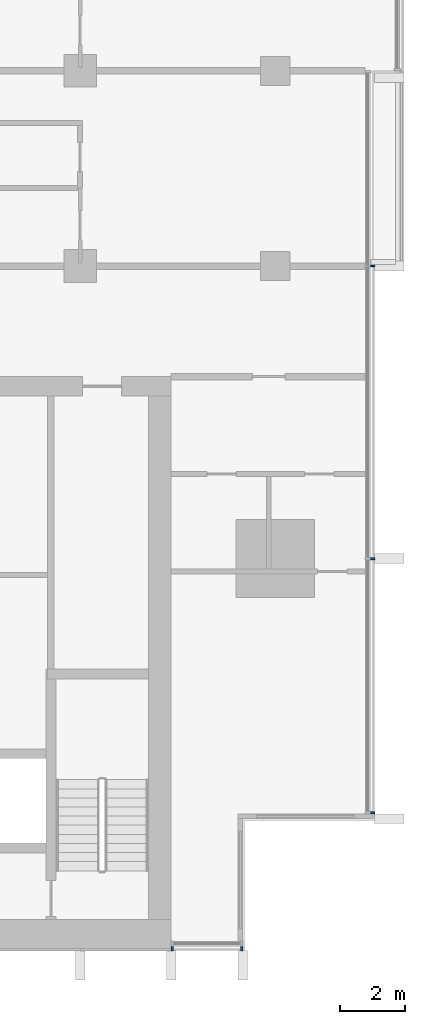
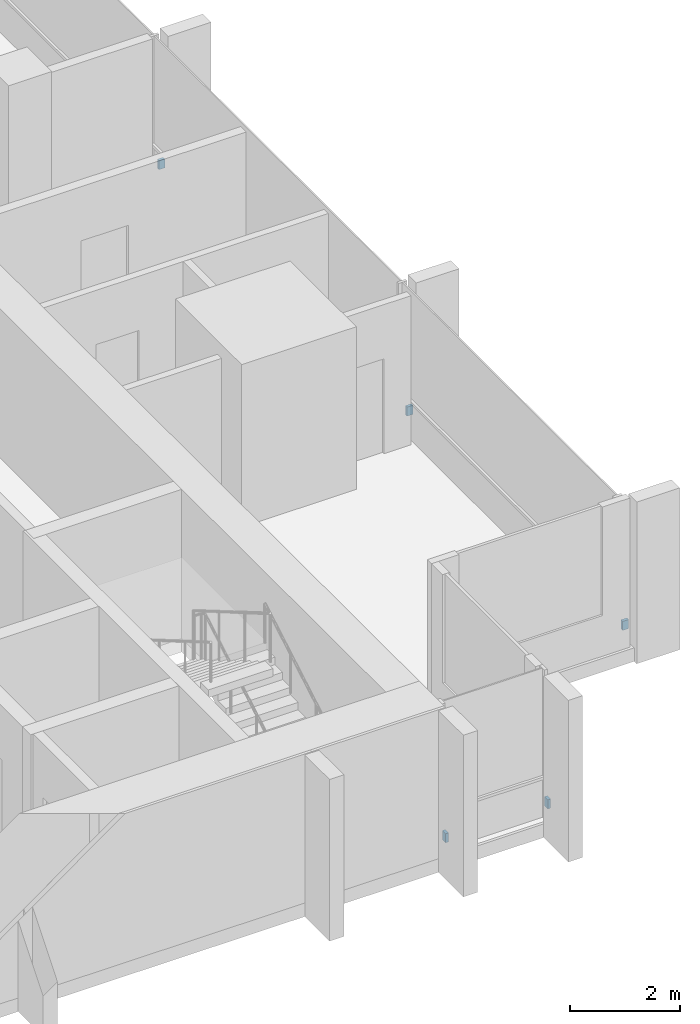
# One storey, part 13 of 16: 5 discrete accessories.
"""IFC4 building model written with IfcOpenShell, lengths in metres."""

from ifc_helpers import new_model, si_unit, direction, frame, origin, origin_2d, place, context, subcontext, project, spatial, rectangle, extrude, material, type_object, element, save


model = new_model("IFC4")

# Units and contexts
model_context = context("Model", 3, precision=1e-05, world=origin(), true_north=direction((0.0, 1.0)))
body_context = subcontext(model_context, "Body", "Model", "MODEL_VIEW")
ifc_project = project(units=[si_unit("LENGTHUNIT", "METRE"), si_unit("AREAUNIT", "SQUARE_METRE"), si_unit("VOLUMEUNIT", "CUBIC_METRE"), si_unit("PLANEANGLEUNIT", "RADIAN"), si_unit("MASSUNIT", "GRAM", prefix="KILO")], contexts=[model_context])

# Site, building, storey
site_placement = place(None, origin())
site = spatial("IfcSite", under=ifc_project, at=site_placement, CompositionType="ELEMENT")
building_placement = place(site_placement, origin())
building = spatial("IfcBuilding", under=site, at=building_placement, Name="Finial Court Residences", CompositionType="ELEMENT")
storey_placement = place(building_placement, frame((0.0, 0.0, 160.10009765625)))
storey = spatial("IfcBuildingStorey", under=building, at=storey_placement, Name="L39", CompositionType="ELEMENT", Elevation=160.10009765625)

# Discrete accessories
ifc_material = material(Name="Stainless steel 316", Category="steel")
discrete_accessory_type = type_object("IfcDiscreteAccessoryType", Name="Fin bracket, stainless steel 60 x 122 x 200", PredefinedType="BRACKET", material=ifc_material)
for number, where, z_axis, x_axis, name in (
    (1, (19.498779296875, -21.320068359375, 0.2998046875), (0.0, 0.0, 1.0), (1.0, 0.0, 0.0), "E-L39-FIN-E7-BRK"),
    (2, (19.498779296875, -13.5, 0.2998046875), (0.0, 0.0, 1.0), (1.0, 0.0, 0.0), "E-L39-FIN-E8-BRK"),
    (3, (19.498779296875, -4.5, 0.2998046875), (0.0, 0.0, 1.0), (1.0, 0.0, 0.0), "E-L39-FIN-E9-BRK"),
):
    element("IfcDiscreteAccessory", number, at=place(storey_placement, frame(where, z_axis=z_axis, x_axis=x_axis)), inside=storey, type_object=discrete_accessory_type, Name=name, PredefinedType="BRACKET", context=body_context, shape_type="SweptSolid", body=[
        extrude(rectangle(XDim=0.12255859375, YDim=0.06005859375, at=origin_2d()), origin(), (0.0, 0.0, 1.0), 0.199951171875),
    ])
for number, where, z_axis, x_axis, name in (
    (4, (13.330078125, -25.498779296875, 0.2998046875), (0.0, 0.0, 1.0), (1.0, 0.0, 0.0), "E-L39-FIN-S20-BRK"),
    (5, (15.469970703125, -25.498779296875, 0.2998046875), (0.0, 0.0, 1.0), (1.0, 0.0, 0.0), "E-L39-FIN-S21-BRK"),
):
    element("IfcDiscreteAccessory", number, at=place(storey_placement, frame(where, z_axis=z_axis, x_axis=x_axis)), inside=storey, type_object=discrete_accessory_type, Name=name, PredefinedType="BRACKET", context=body_context, shape_type="SweptSolid", body=[
        extrude(rectangle(XDim=0.06005859375, YDim=0.12255859375, at=origin_2d()), origin(), (0.0, 0.0, 1.0), 0.199951171875),
    ])

save(model, "model.ifc")
